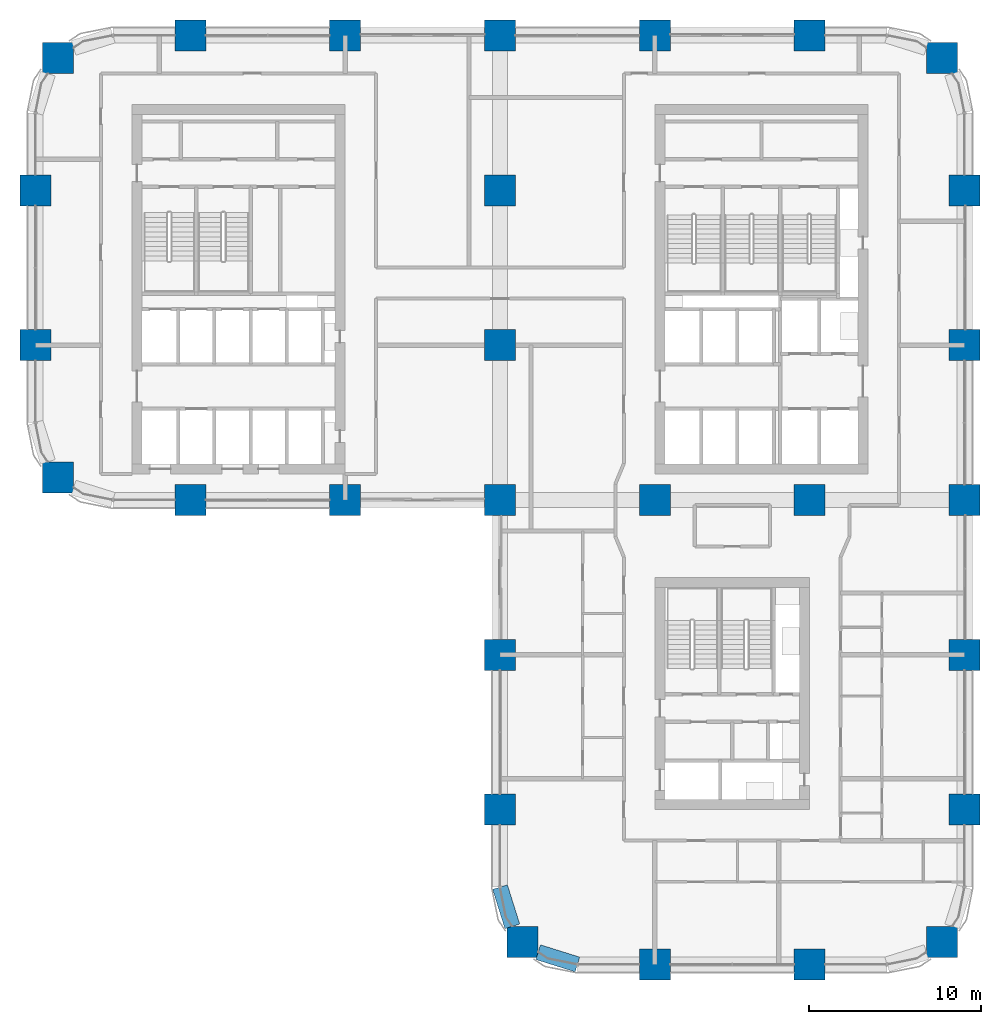
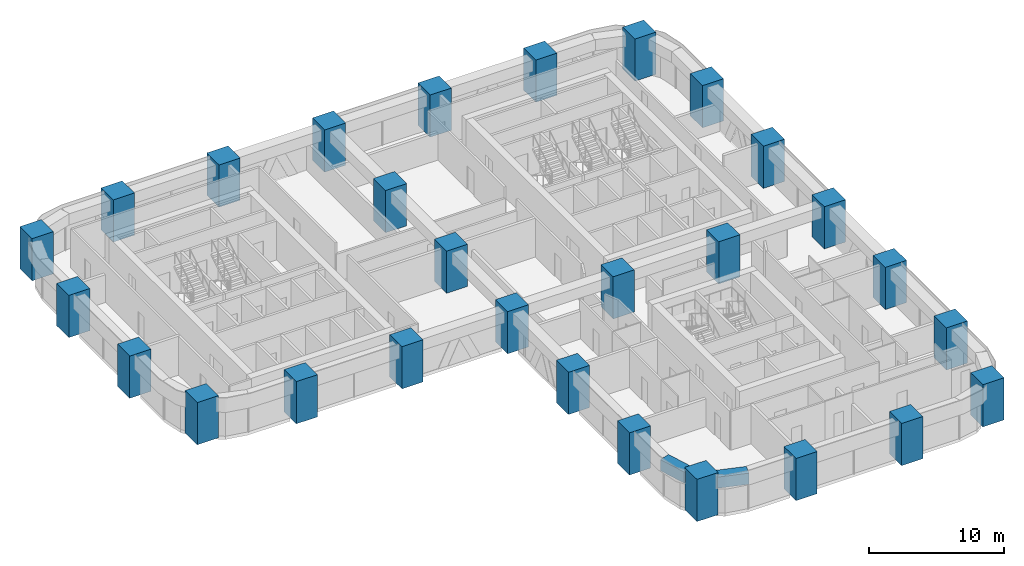
# One storey, part 1 of 24: 28 columns, 2 beams.
"""IFC4 building model written with IfcOpenShell, lengths in metres."""

from ifc_helpers import new_model, si_unit, direction, frame, origin, origin_2d, place, context, subcontext, project, spatial, rectangle, extrude, material, material_profile, profile_set, type_object, element, save


model = new_model("IFC4")

# Units and contexts
model_context = context("Model", 3, precision=1e-05, world=origin(), true_north=direction((0.0, 1.0)))
body_context = subcontext(model_context, "Body", "Model", "MODEL_VIEW")
ifc_project = project(units=[si_unit("LENGTHUNIT", "METRE"), si_unit("AREAUNIT", "SQUARE_METRE"), si_unit("VOLUMEUNIT", "CUBIC_METRE"), si_unit("PLANEANGLEUNIT", "RADIAN"), si_unit("MASSUNIT", "GRAM", prefix="KILO")], contexts=[model_context])

# Site, building, storey
site_placement = place(None, origin())
site = spatial("IfcSite", under=ifc_project, at=site_placement, CompositionType="ELEMENT")
building_placement = place(site_placement, origin())
building = spatial("IfcBuilding", under=site, at=building_placement, Name="Tessera Arch", CompositionType="ELEMENT")
storey_placement = place(building_placement, frame((0.0, 0.0, 112.0)))
storey = spatial("IfcBuildingStorey", under=building, at=storey_placement, Name="L26", CompositionType="ELEMENT", Elevation=112.0)

# Columns
ifc_material_1 = material(Name="Concrete C80/95", Category="concrete")
ifc_material_profile_1 = material_profile(ifc_material_1, rectangle(XDim=1.800048828125, YDim=1.800048828125, at=origin_2d()), Name="RC column 1800 x 1800 Concrete C80/95")
ifc_profile_set_1 = profile_set([ifc_material_profile_1], Name="Concrete C80/95")
column_type = type_object("IfcColumnType", Name="RC column 1800 x 1800 Concrete C80/95", PredefinedType="COLUMN", material=ifc_profile_set_1)
for number, where, z_axis, x_axis, name in (
    (1, (1.318115234375, 28.318115234375, 0.0), (0.0, 0.0, 1.0), (1.0, 0.0, 0.0), "Column C1D L26"),
    (2, (0.0, 36.0, 0.0), (0.0, 0.0, 1.0), (1.0, 0.0, 0.0), "Column C1E L26"),
    (3, (0.0, 45.0, 0.0), (0.0, 0.0, 1.0), (1.0, 0.0, 0.0), "Column C1F L26"),
    (4, (1.318115234375, 52.681884765625, 0.0), (0.0, 0.0, 1.0), (1.0, 0.0, 0.0), "Column C1G L26"),
    (5, (9.0, 27.0, 0.0), (0.0, 0.0, 1.0), (1.0, 0.0, 0.0), "Column C2D L26"),
    (6, (9.0, 54.0, 0.0), (0.0, 0.0, 1.0), (1.0, 0.0, 0.0), "Column C2G L26"),
    (7, (18.0, 27.0, 0.0), (0.0, 0.0, 1.0), (1.0, 0.0, 0.0), "Column C3D L26"),
    (8, (18.0, 54.0, 0.0), (0.0, 0.0, 1.0), (1.0, 0.0, 0.0), "Column C3G L26"),
    (9, (28.318115234375, 1.318115234375, 0.0), (0.0, 0.0, 1.0), (1.0, 0.0, 0.0), "Column C4A L26"),
    (10, (27.0, 9.0, 0.0), (0.0, 0.0, 1.0), (1.0, 0.0, 0.0), "Column C4B L26"),
    (11, (27.0, 18.0, 0.0), (0.0, 0.0, 1.0), (1.0, 0.0, 0.0), "Column C4C L26"),
    (12, (27.0, 27.0, 0.0), (0.0, 0.0, 1.0), (1.0, 0.0, 0.0), "Column C4D L26"),
    (13, (27.0, 36.0, 0.0), (0.0, 0.0, 1.0), (1.0, 0.0, 0.0), "Column C4E L26"),
    (14, (27.0, 45.0, 0.0), (0.0, 0.0, 1.0), (1.0, 0.0, 0.0), "Column C4F L26"),
    (15, (27.0, 54.0, 0.0), (0.0, 0.0, 1.0), (1.0, 0.0, 0.0), "Column C4G L26"),
    (16, (36.0, 0.0, 0.0), (0.0, 0.0, 1.0), (1.0, 0.0, 0.0), "Column C5A L26"),
    (17, (36.0, 27.0, 0.0), (0.0, 0.0, 1.0), (1.0, 0.0, 0.0), "Column C5D L26"),
    (18, (36.0, 54.0, 0.0), (0.0, 0.0, 1.0), (1.0, 0.0, 0.0), "Column C5G L26"),
    (19, (45.0, 0.0, 0.0), (0.0, 0.0, 1.0), (1.0, 0.0, 0.0), "Column C6A L26"),
    (20, (45.0, 27.0, 0.0), (0.0, 0.0, 1.0), (1.0, 0.0, 0.0), "Column C6D L26"),
    (21, (45.0, 54.0, 0.0), (0.0, 0.0, 1.0), (1.0, 0.0, 0.0), "Column C6G L26"),
    (22, (52.681884765625, 1.318115234375, 0.0), (0.0, 0.0, 1.0), (1.0, 0.0, 0.0), "Column C7A L26"),
    (23, (54.0, 9.0, 0.0), (0.0, 0.0, 1.0), (1.0, 0.0, 0.0), "Column C7B L26"),
    (24, (54.0, 18.0, 0.0), (0.0, 0.0, 1.0), (1.0, 0.0, 0.0), "Column C7C L26"),
    (25, (54.0, 27.0, 0.0), (0.0, 0.0, 1.0), (1.0, 0.0, 0.0), "Column C7D L26"),
    (26, (54.0, 36.0, 0.0), (0.0, 0.0, 1.0), (1.0, 0.0, 0.0), "Column C7E L26"),
    (27, (54.0, 45.0, 0.0), (0.0, 0.0, 1.0), (1.0, 0.0, 0.0), "Column C7F L26"),
    (28, (52.681884765625, 52.681884765625, 0.0), (0.0, 0.0, 1.0), (1.0, 0.0, 0.0), "Column C7G L26"),
):
    element("IfcColumn", number, at=place(storey_placement, frame(where, z_axis=z_axis, x_axis=x_axis)), inside=storey, type_object=column_type, Name=name, PredefinedType="COLUMN", context=body_context, shape_type="SweptSolid", body=[
        extrude(rectangle(XDim=1.800048828125, YDim=1.800048828125, at=origin_2d()), origin(), (0.0, 0.0, 1.0), 3.800048828125),
    ])

# Beams
ifc_material_2 = material(Name="Concrete C80/95", Category="concrete")
ifc_material_profile_2 = material_profile(ifc_material_2, rectangle(XDim=0.89990234375, YDim=1.0, at=origin_2d()), Name="RC spandrel beam 900 x 1000 Concrete C80/95")
ifc_profile_set_2 = profile_set([ifc_material_profile_2], Name="Concrete C80/95")
beam_type = type_object("IfcBeamType", Name="RC spandrel beam 900 x 1000 Concrete C80/95", PredefinedType="BEAM", material=ifc_profile_set_2)
for number, where, z_axis, x_axis, name in (
    (29, (27.0, 4.5, 3.0), (0.299675309057, -0.954041251279, 0.0), (0.954041251279, 0.299675309057, 0.0), "Spandrel beam L26 W27.0/2.2"),
    (30, (29.218017578125, 0.716796875, 3.0), (0.954041251279, -0.299675309057, 0.0), (0.299675309057, 0.954041251279, 0.0), "Spandrel beam L26 S0.27/0.1"),
):
    element("IfcBeam", number, at=place(storey_placement, frame(where, z_axis=z_axis, x_axis=x_axis)), inside=storey, type_object=beam_type, Name=name, PredefinedType="BEAM", context=body_context, shape_type="SweptSolid", body=[
        extrude(rectangle(XDim=0.89990234375, YDim=1.0, at=origin_2d()), origin(), (0.0, 0.0, 1.0), 2.391845703125),
    ])

save(model, "model.ifc")
